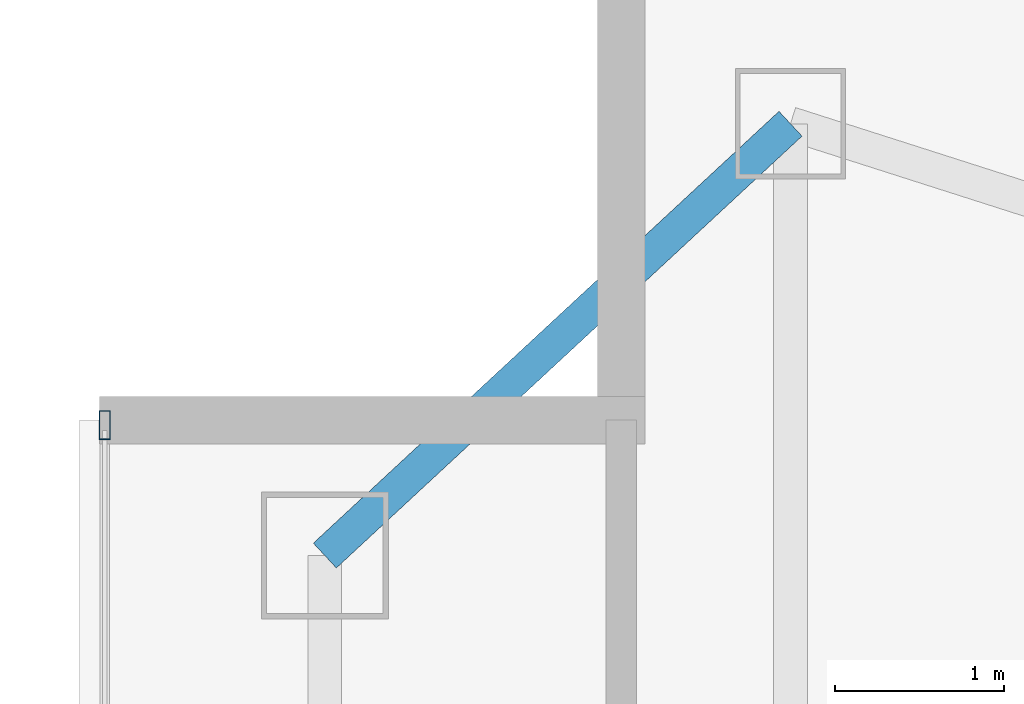
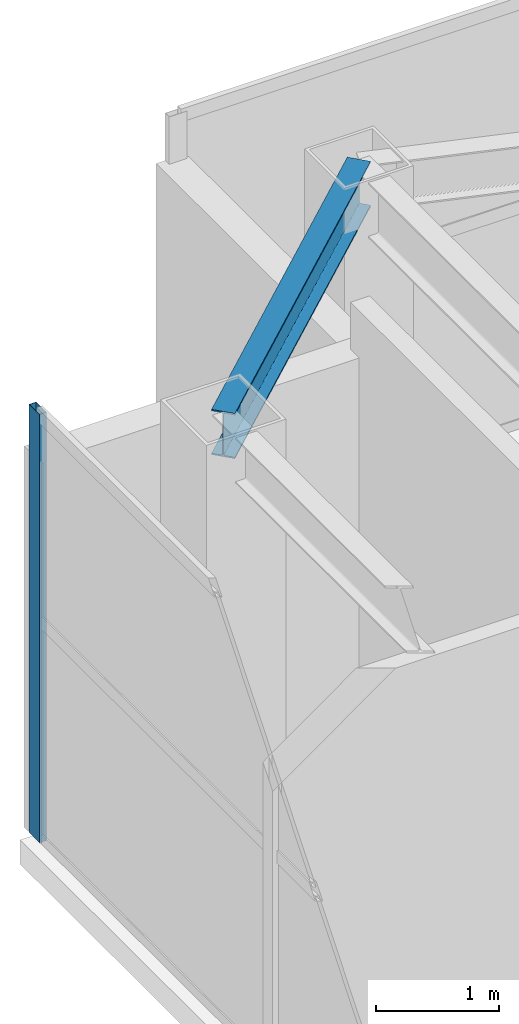
# One storey, part 16 of 25: 1 beam, 1 member, 1 element without a shape of its own.
"""IFC4 building model written with IfcOpenShell, lengths in metres."""

from ifc_helpers import new_model, si_unit, direction, frame, origin, origin_2d, place, context, subcontext, project, spatial, hollow_rectangle, i_section, extrude, material, layer, layer_set, material_profile, profile_set, type_object, element, aggregate, save


model = new_model("IFC4")

# Units and contexts
model_context = context("Model", 3, precision=1e-05, world=origin(), true_north=direction((0.0, 1.0)))
body_context = subcontext(model_context, "Body", "Model", "MODEL_VIEW")
ifc_project = project(units=[si_unit("LENGTHUNIT", "METRE"), si_unit("AREAUNIT", "SQUARE_METRE"), si_unit("VOLUMEUNIT", "CUBIC_METRE"), si_unit("PLANEANGLEUNIT", "RADIAN"), si_unit("MASSUNIT", "GRAM", prefix="KILO")], contexts=[model_context])

# Site, building, storey
site_placement = place(None, origin())
site = spatial("IfcSite", under=ifc_project, at=site_placement, CompositionType="ELEMENT")
building_placement = place(site_placement, origin())
building = spatial("IfcBuilding", under=site, at=building_placement, Name="Calvorn Quay Hotel", CompositionType="ELEMENT")
storey_placement = place(building_placement, frame((0.0, 0.0, 316.0)))
storey = spatial("IfcBuildingStorey", under=building, at=storey_placement, Name="L78", CompositionType="ELEMENT", Elevation=316.0)

# Beam
ifc_material_1 = material(Name="Steel Q355B", Category="steel")
ifc_material_profile_1 = material_profile(ifc_material_1, i_section(OverallWidth=0.199951171875, OverallDepth=0.449951171875, WebThickness=0.009033203125, FlangeThickness=0.013916015625, FilletRadius=0.01611328125, at=origin_2d()), Name="HN450x200x9x14")
ifc_profile_set_1 = profile_set([ifc_material_profile_1], Name="Steel Q355B")
beam_type = type_object("IfcBeamType", Name="BM-SPANDREL-Z3", PredefinedType="SPANDREL", material=ifc_profile_set_1)
beam_placement = place(storey_placement, frame((1.449951171875, 47.0, 4.014892578125), z_axis=(0.733261665538, 0.679946563969, 0.0), x_axis=(-0.679946563969, 0.733261665538, 0.0)))
element("IfcBeam", 1, at=beam_placement, inside=storey, type_object=beam_type, Name="Beam BSP-L78-W5", PredefinedType="SPANDREL", context=body_context, shape_type="SweptSolid", body=[
    extrude(i_section(OverallWidth=0.199951171875, OverallDepth=0.449951171875, WebThickness=0.009033203125, FlangeThickness=0.013916015625, FilletRadius=0.01611328125, at=origin_2d()), origin(), (0.0, 0.0, 1.0), 3.75048828125),
])

# Curtain wall, member
ifc_material_2 = material(Name="Champagne Bronze Anodised Aluminium and Low-E Glass", Category="aluminium")
ifc_layer = layer(ifc_material_2, 0.219970703125)
ifc_layer_set = layer_set([ifc_layer], Name="CW-SYS-Z4")
curtain_wall_type = type_object("IfcCurtainWallType", Name="CW-SYS-Z4", PredefinedType="NOTDEFINED", material=ifc_layer_set)
curtain_wall_placement = place(storey_placement, origin())
curtain_wall = element("IfcCurtainWall", 2, at=curtain_wall_placement, inside=storey, type_object=curtain_wall_type, Name="Tower West Curtain Wall (L78)", PredefinedType="NOTDEFINED")
ifc_material_3 = material(Name="Champagne Bronze Anodised Aluminium 6063-T6", Category="aluminium")
ifc_material_profile_2 = material_profile(ifc_material_3, hollow_rectangle(XDim=0.06494140625, YDim=0.169921875, WallThickness=0.00341796875, at=origin_2d()), Name="ALU-M170x65x3.5")
ifc_profile_set_2 = profile_set([ifc_material_profile_2], Name="Champagne Bronze Anodised Aluminium 6063-T6")
member_type = type_object("IfcMemberType", Name="CW-SYS-Z4-MUL", PredefinedType="MULLION", material=ifc_profile_set_2)
member_placement = place(storey_placement, frame((0.14990234375, 47.77001953125, 0.0), z_axis=(0.0, 0.0, 1.0), x_axis=(-1.0, 0.0, 0.0)))
member = element("IfcMember", 3, at=member_placement, type_object=member_type, Name="CW-L78-W mullion 5", PredefinedType="MULLION", context=body_context, shape_type="SweptSolid", body=[
    extrude(hollow_rectangle(XDim=0.06494140625, YDim=0.169921875, WallThickness=0.00341796875, at=origin_2d()), origin(), (0.0, 0.0, 1.0), 4.260009765625),
])
aggregate(curtain_wall, [member])

save(model, "model.ifc")
